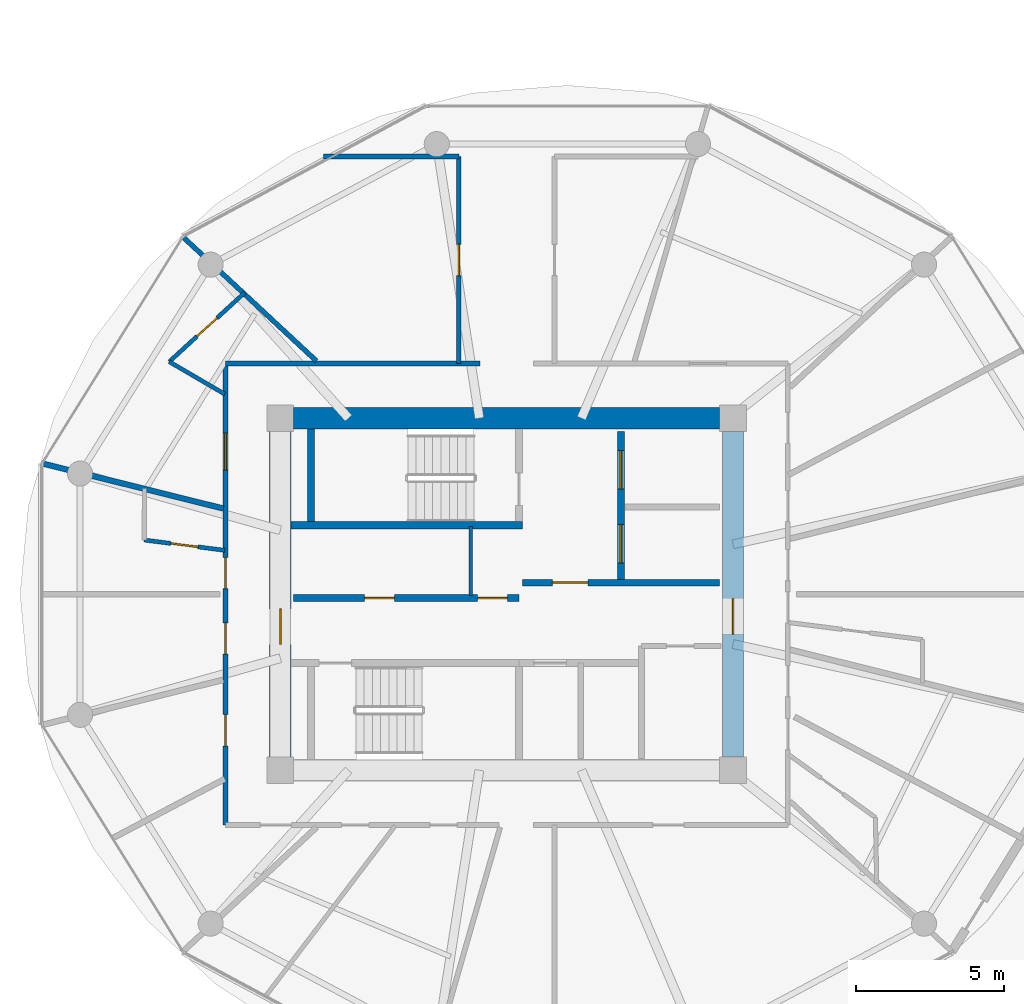
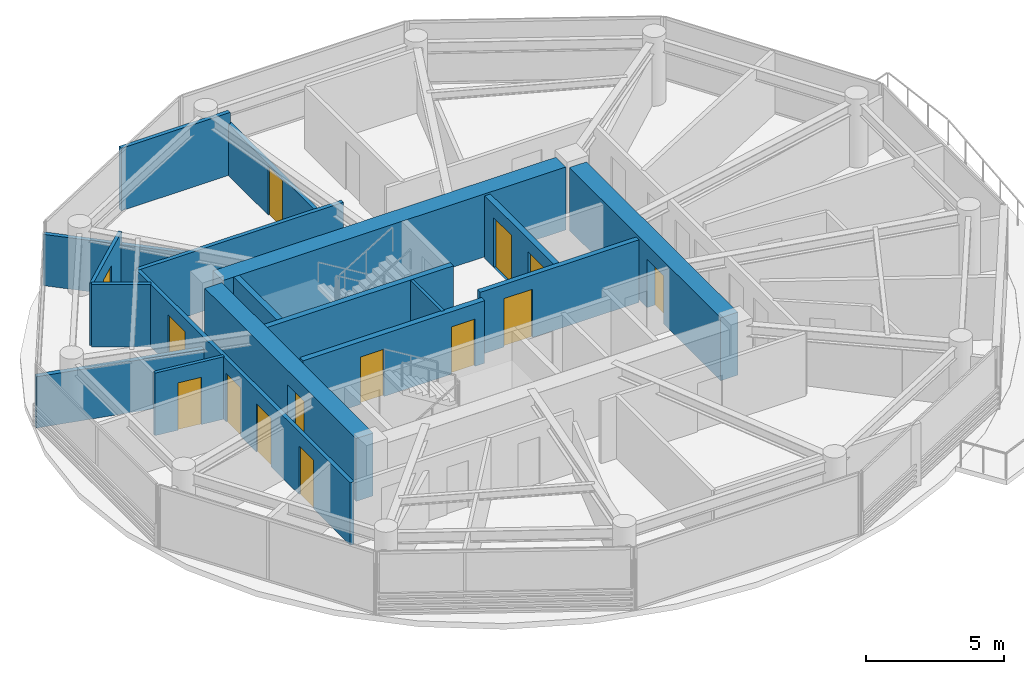
# One storey, part 14 of 22: 18 walls, 14 doors, 14 openings.
"""IFC4 building model written with IfcOpenShell, lengths in metres."""

from ifc_helpers import new_model, si_unit, direction, frame, frame_2d, origin, place, context, subcontext, project, spatial, rectangle, extrude, source, transform, mapped, material, layer, layer_set, type_object, type_shapes, element, fill, save


model = new_model("IFC4")

# Units and contexts
model_context = context("Model", 3, precision=1e-05, world=origin(), true_north=direction((0.0, 1.0)))
body_context = subcontext(model_context, "Body", "Model", "MODEL_VIEW")
ifc_project = project(units=[si_unit("LENGTHUNIT", "METRE"), si_unit("AREAUNIT", "SQUARE_METRE"), si_unit("VOLUMEUNIT", "CUBIC_METRE"), si_unit("PLANEANGLEUNIT", "RADIAN"), si_unit("MASSUNIT", "GRAM", prefix="KILO")], contexts=[model_context])

# Site, building, storey
site_placement = place(None, origin())
site = spatial("IfcSite", under=ifc_project, at=site_placement, CompositionType="ELEMENT")
building_placement = place(site_placement, origin())
building = spatial("IfcBuilding", under=site, at=building_placement, Name="Norrkilde Senior Care Towers", CompositionType="ELEMENT")
storey_placement = place(building_placement, frame((0.0, 0.0, 120.64990234375)))
storey = spatial("IfcBuildingStorey", under=building, at=storey_placement, Name="L37", CompositionType="ELEMENT", Elevation=120.64990234375)

# Wall
ifc_material_1 = material(Name="Concrete C60/75", Category="concrete")
ifc_layer_1 = layer(ifc_material_1, 0.719970703125)
ifc_layer_set_1 = layer_set([ifc_layer_1], Name="Concrete C60/75")
wall_type_1 = type_object("IfcWallType", Name="Core Shear Wall Z2 720", PredefinedType="SHEAR", material=ifc_layer_set_1)
shared_shape_1 = source(origin(), body_context, "Body", "SweptSolid", [
    extrude(rectangle(XDim=14.39990234375, YDim=0.719970703125, at=frame_2d((7.199951171875, 0.0))), origin(), (0.0, 0.0, 1.0), 2.7900390625),
])
wall_1_placement = place(storey_placement, frame((-35.199951171875, 5.949951171875, 0.0), z_axis=(0.0, 0.0, 1.0), x_axis=(1.0, 0.0, 0.0)))
element("IfcWall", 1, at=wall_1_placement, inside=storey, type_object=wall_type_1, Name="L37 Core W North Shear Wall", PredefinedType="SHEAR", context=body_context, shape_type="MappedRepresentation", body=[
    mapped(shared_shape_1, transform((0.0, 0.0, 0.0), x_axis=(1.0, 0.0, 0.0), y_axis=(0.0, 1.0, 0.0), z_axis=(0.0, 0.0, 1.0), scale=1.0)),
])

# Wall, opening, door
shared_shape_2 = source(origin(), body_context, "Body", "SweptSolid", [
    extrude(rectangle(XDim=11.0, YDim=0.719970703125, at=frame_2d((5.5, 0.0))), origin(), (0.0, 0.0, 1.0), 2.7900390625),
])
type_shapes(wall_type_1, [shared_shape_1, shared_shape_2])
wall_2_placement = place(storey_placement, frame((-35.64990234375, -5.5, 0.0), z_axis=(0.0, 0.0, 1.0), x_axis=(0.0, 1.0, 0.0)))
wall_2 = element("IfcWall", 2, at=wall_2_placement, inside=storey, type_object=wall_type_1, Name="L37 Core W West Shear Wall", PredefinedType="SHEAR", context=body_context, shape_type="MappedRepresentation", body=[
    mapped(shared_shape_2, transform((0.0, 0.0, 0.0), x_axis=(1.0, 0.0, 0.0), y_axis=(0.0, 1.0, 0.0), z_axis=(0.0, 0.0, 1.0), scale=1.0)),
])
opening_1_placement = place(wall_2_placement, frame((3.800048828125, 0.0, 0.0)))
opening_1 = element("IfcOpeningElement", 3, at=opening_1_placement, cuts=wall_2, Name="Opening D-04", PredefinedType="OPENING", context=body_context, shape_type="SweptSolid", body=[
    extrude(rectangle(XDim=1.199951171875, YDim=2.14990234375, at=frame_2d((0.60009765625, 1.074951171875))), frame((0.0, 0.369873046875, 0.0), z_axis=(0.0, -1.0, 0.0), x_axis=(1.0, 0.0, 0.0)), (0.0, 0.0, 1.0), 0.739990234375),
])
ifc_material_2 = material(Name="Galvanised Painted Steel", Category="steel")
door_type_1 = type_object("IfcDoorType", Name="Firefighting Lobby Fire Door 1200x2150", OperationType="NOTDEFINED", PredefinedType="DOOR", material=ifc_material_2)
shared_shape_3 = source(origin(), body_context, "Body", "SweptSolid", [
    extrude(rectangle(XDim=1.199951171875, YDim=2.14990234375, at=frame_2d((0.60009765625, 1.074951171875))), frame((0.0, 0.02490234375, 0.0), z_axis=(0.0, -1.0, 0.0), x_axis=(1.0, 0.0, 0.0)), (0.0, 0.0, 1.0), 0.050048828125),
])
type_shapes(door_type_1, [shared_shape_3])
door_1_placement = place(opening_1_placement, frame((1.199951171875, 0.0, 0.0), z_axis=(0.0, 0.0, 1.0), x_axis=(-1.0, 0.0, 0.0)))
door_1 = element("IfcDoor", 4, at=door_1_placement, inside=storey, type_object=door_type_1, Name="L37 Core W West Portal Door", OperationType="SINGLE_SWING_LEFT", OverallHeight=2.14990234375, OverallWidth=1.199951171875, PredefinedType="DOOR", context=body_context, shape_type="MappedRepresentation", body=[
    mapped(shared_shape_3, transform((0.0, 0.0, 0.0), x_axis=(1.0, 0.0, 0.0), y_axis=(0.0, 1.0, 0.0), z_axis=(0.0, 0.0, 1.0), scale=1.0)),
])
fill(opening_1, door_1)

wall_3_placement = place(storey_placement, frame((-20.35009765625, 5.5, 0.0), z_axis=(0.0, 0.0, 1.0), x_axis=(0.0, -1.0, 0.0)))
wall_3 = element("IfcWall", 5, at=wall_3_placement, inside=storey, type_object=wall_type_1, Name="L37 Core W East Shear Wall", PredefinedType="SHEAR", context=body_context, shape_type="MappedRepresentation", body=[
    mapped(shared_shape_2, transform((0.0, 0.0, 0.0), x_axis=(1.0, 0.0, 0.0), y_axis=(0.0, 1.0, 0.0), z_axis=(0.0, 0.0, 1.0), scale=1.0)),
])
opening_2_placement = place(wall_3_placement, frame((5.64990234375, 0.0, 0.0)))
opening_2 = element("IfcOpeningElement", 6, at=opening_2_placement, cuts=wall_3, Name="Opening D-04", PredefinedType="OPENING", context=body_context, shape_type="SweptSolid", body=[
    extrude(rectangle(XDim=1.199951171875, YDim=2.14990234375, at=frame_2d((0.60009765625, 1.074951171875))), frame((0.0, 0.369873046875, 0.0), z_axis=(0.0, -1.0, 0.0), x_axis=(1.0, 0.0, 0.0)), (0.0, 0.0, 1.0), 0.739990234375),
])
door_2_placement = place(opening_2_placement, frame((1.199951171875, 0.0, 0.0), z_axis=(0.0, 0.0, 1.0), x_axis=(-1.0, 0.0, 0.0)))
door_2 = element("IfcDoor", 7, at=door_2_placement, inside=storey, type_object=door_type_1, Name="L37 Core W East Portal Door", OperationType="SINGLE_SWING_RIGHT", OverallHeight=2.14990234375, OverallWidth=1.199951171875, PredefinedType="DOOR", context=body_context, shape_type="MappedRepresentation", body=[
    mapped(shared_shape_3, transform((0.0, 0.0, 0.0), x_axis=(1.0, 0.0, 0.0), y_axis=(0.0, 1.0, 0.0), z_axis=(0.0, 0.0, 1.0), scale=1.0)),
])
fill(opening_2, door_2)

# Wall, openings, doors
ifc_material_3 = material(Name="Concrete C45/55", Category="concrete")
ifc_layer_2 = layer(ifc_material_3, 0.239990234375)
ifc_layer_set_2 = layer_set([ifc_layer_2], Name="Concrete C45/55")
wall_type_2 = type_object("IfcWallType", Name="Lift and Plant Rated Enclosure Partition 240", PredefinedType="PARTITIONING", material=ifc_layer_set_2)
shared_shape_4 = source(origin(), body_context, "Body", "SweptSolid", [
    extrude(rectangle(XDim=5.0, YDim=0.239990234375, at=frame_2d((2.5, 0.0))), origin(), (0.0, 0.0, 1.0), 2.775146484375),
])
wall_4_placement = place(storey_placement, frame((-24.139892578125, 0.5, 0.0), z_axis=(0.0, 0.0, 1.0), x_axis=(0.0, 1.0, 0.0)))
wall_4 = element("IfcWall", 8, at=wall_4_placement, inside=storey, type_object=wall_type_2, Name="WL-INT-L37-W-FFLE", PredefinedType="PARTITIONING", context=body_context, shape_type="MappedRepresentation", body=[
    mapped(shared_shape_4, transform((0.0, 0.0, 0.0), x_axis=(1.0, 0.0, 0.0), y_axis=(0.0, 1.0, 0.0), z_axis=(0.0, 0.0, 1.0), scale=1.0)),
])
opening_3_placement = place(wall_4_placement, frame((3.050048828125, 0.0, 0.0)))
opening_3 = element("IfcOpeningElement", 9, at=opening_3_placement, cuts=wall_4, Name="Opening LD-02", PredefinedType="OPENING", context=body_context, shape_type="SweptSolid", body=[
    extrude(rectangle(XDim=1.300048828125, YDim=2.199951171875, at=frame_2d((0.64990234375, 1.10009765625))), frame((0.0, 0.1298828125, 0.0), z_axis=(0.0, -1.0, 0.0), x_axis=(1.0, 0.0, 0.0)), (0.0, 0.0, 1.0), 0.260009765625),
])
opening_4_placement = place(wall_4_placement, frame((0.550048828125, 0.0, 0.0)))
opening_4 = element("IfcOpeningElement", 10, at=opening_4_placement, cuts=wall_4, Name="Opening LD-02", PredefinedType="OPENING", context=body_context, shape_type="SweptSolid", body=[
    extrude(rectangle(XDim=1.300048828125, YDim=2.199951171875, at=frame_2d((0.64990234375, 1.10009765625))), frame((0.0, 0.1298828125, 0.0), z_axis=(0.0, -1.0, 0.0), x_axis=(1.0, 0.0, 0.0)), (0.0, 0.0, 1.0), 0.260009765625),
])
ifc_material_4 = material(Name="Stainless Steel", Category="steel")
door_type_2 = type_object("IfcDoorType", Name="Stretcher and FFL Landing Sliding Door 1300x2200", OperationType="NOTDEFINED", PredefinedType="DOOR", material=ifc_material_4)
shared_shape_5 = source(origin(), body_context, "Body", "SweptSolid", [
    extrude(rectangle(XDim=1.300048828125, YDim=2.199951171875, at=frame_2d((0.64990234375, 1.10009765625))), frame((0.0, 0.02490234375, 0.0), z_axis=(0.0, -1.0, 0.0), x_axis=(1.0, 0.0, 0.0)), (0.0, 0.0, 1.0), 0.050048828125),
])
type_shapes(door_type_2, [shared_shape_5])
door_3_placement = place(opening_3_placement, origin())
door_3 = element("IfcDoor", 11, at=door_3_placement, inside=storey, type_object=door_type_2, Name="L37 Firefighting Lift W1 Landing Door", OperationType="SLIDING_TO_LEFT", OverallHeight=2.199951171875, OverallWidth=1.300048828125, PredefinedType="DOOR", context=body_context, shape_type="MappedRepresentation", body=[
    mapped(shared_shape_5, transform((0.0, 0.0, 0.0), x_axis=(1.0, 0.0, 0.0), y_axis=(0.0, 1.0, 0.0), z_axis=(0.0, 0.0, 1.0), scale=1.0)),
])
fill(opening_3, door_3)
door_4_placement = place(opening_4_placement, origin())
door_4 = element("IfcDoor", 12, at=door_4_placement, inside=storey, type_object=door_type_2, Name="L37 Stretcher Lift W1 Landing Door", OperationType="SLIDING_TO_RIGHT", OverallHeight=2.199951171875, OverallWidth=1.300048828125, PredefinedType="DOOR", context=body_context, shape_type="MappedRepresentation", body=[
    mapped(shared_shape_5, transform((0.0, 0.0, 0.0), x_axis=(1.0, 0.0, 0.0), y_axis=(0.0, 1.0, 0.0), z_axis=(0.0, 0.0, 1.0), scale=1.0)),
])
fill(opening_4, door_4)

# Wall, opening, door
ifc_layer_3 = layer(ifc_material_3, 0.2099609375)
ifc_layer_set_3 = layer_set([ifc_layer_3], Name="Concrete C45/55")
wall_type_3 = type_object("IfcWallType", Name="Firefighting Lobby Wall 210", PredefinedType="PARTITIONING", material=ifc_layer_set_3)
shared_shape_6 = source(origin(), body_context, "Body", "SweptSolid", [
    extrude(rectangle(XDim=6.659912109375, YDim=0.2099609375, at=frame_2d((3.330078125, 0.0))), origin(), (0.0, 0.0, 1.0), 2.775146484375),
])
type_shapes(wall_type_3, [shared_shape_6])
wall_5_placement = place(storey_placement, frame((-27.4599609375, 0.389892578125, 0.0), z_axis=(0.0, 0.0, 1.0), x_axis=(1.0, 0.0, 0.0)))
wall_5 = element("IfcWall", 13, at=wall_5_placement, inside=storey, type_object=wall_type_3, Name="WL-INT-L37-W-FFLS", PredefinedType="PARTITIONING", context=body_context, shape_type="MappedRepresentation", body=[
    mapped(shared_shape_6, transform((0.0, 0.0, 0.0), x_axis=(1.0, 0.0, 0.0), y_axis=(0.0, 1.0, 0.0), z_axis=(0.0, 0.0, 1.0), scale=1.0)),
])
opening_5_placement = place(wall_5_placement, frame((1.0, 0.0, 0.0)))
opening_5 = element("IfcOpeningElement", 14, at=opening_5_placement, cuts=wall_5, Name="Opening D-04", PredefinedType="OPENING", context=body_context, shape_type="SweptSolid", body=[
    extrude(rectangle(XDim=1.199951171875, YDim=2.14990234375, at=frame_2d((0.60009765625, 1.074951171875))), frame((0.0, 0.114990234375, 0.0), z_axis=(0.0, -1.0, 0.0), x_axis=(1.0, 0.0, 0.0)), (0.0, 0.0, 1.0), 0.22998046875),
])
door_5_placement = place(opening_5_placement, frame((1.199951171875, 0.0, 0.0), z_axis=(0.0, 0.0, 1.0), x_axis=(-1.0, 0.0, 0.0)))
door_5 = element("IfcDoor", 15, at=door_5_placement, inside=storey, type_object=door_type_1, Name="L37 Firefighting Lobby W Door", OperationType="SINGLE_SWING_LEFT", OverallHeight=2.14990234375, OverallWidth=1.199951171875, PredefinedType="DOOR", context=body_context, shape_type="MappedRepresentation", body=[
    mapped(shared_shape_3, transform((0.0, 0.0, 0.0), x_axis=(1.0, 0.0, 0.0), y_axis=(0.0, 1.0, 0.0), z_axis=(0.0, 0.0, 1.0), scale=1.0)),
])
fill(opening_5, door_5)

# Wall, openings, doors
shared_shape_7 = source(origin(), body_context, "Body", "SweptSolid", [
    extrude(rectangle(XDim=7.619873046875, YDim=0.239990234375, at=frame_2d((3.81005859375, 0.0))), origin(), (0.0, 0.0, 1.0), 2.775146484375),
])
type_shapes(wall_type_2, [shared_shape_4, shared_shape_7])
wall_6_placement = place(storey_placement, frame((-35.199951171875, -0.1298828125, 0.0), z_axis=(0.0, 0.0, 1.0), x_axis=(1.0, 0.0, 0.0)))
wall_6 = element("IfcWall", 16, at=wall_6_placement, inside=storey, type_object=wall_type_2, Name="WL-INT-L37-W-PKAS", PredefinedType="PARTITIONING", context=body_context, shape_type="MappedRepresentation", body=[
    mapped(shared_shape_7, transform((0.0, 0.0, 0.0), x_axis=(1.0, 0.0, 0.0), y_axis=(0.0, 1.0, 0.0), z_axis=(0.0, 0.0, 1.0), scale=1.0)),
])
opening_6_placement = place(wall_6_placement, frame((6.219970703125, 0.0, 0.0)))
opening_6 = element("IfcOpeningElement", 17, at=opening_6_placement, cuts=wall_6, Name="Opening D-10", PredefinedType="OPENING", context=body_context, shape_type="SweptSolid", body=[
    extrude(rectangle(XDim=1.0, YDim=2.10009765625, at=frame_2d((0.5, 1.050048828125))), frame((0.0, 0.1298828125, 0.0), z_axis=(0.0, -1.0, 0.0), x_axis=(1.0, 0.0, 0.0)), (0.0, 0.0, 1.0), 0.260009765625),
])
opening_7_placement = place(wall_6_placement, frame((2.39990234375, 0.0, 0.0)))
opening_7 = element("IfcOpeningElement", 18, at=opening_7_placement, cuts=wall_6, Name="Opening D-10", PredefinedType="OPENING", context=body_context, shape_type="SweptSolid", body=[
    extrude(rectangle(XDim=1.0, YDim=2.10009765625, at=frame_2d((0.5, 1.050048828125))), frame((0.0, 0.1298828125, 0.0), z_axis=(0.0, -1.0, 0.0), x_axis=(1.0, 0.0, 0.0)), (0.0, 0.0, 1.0), 0.260009765625),
])
door_type_3 = type_object("IfcDoorType", Name="Plant and Riser Rated Door 1000x2100", OperationType="NOTDEFINED", PredefinedType="DOOR", material=ifc_material_2)
shared_shape_8 = source(origin(), body_context, "Body", "SweptSolid", [
    extrude(rectangle(XDim=1.0, YDim=2.10009765625, at=frame_2d((0.5, 1.050048828125))), frame((0.0, 0.02490234375, 0.0), z_axis=(0.0, -1.0, 0.0), x_axis=(1.0, 0.0, 0.0)), (0.0, 0.0, 1.0), 0.050048828125),
])
type_shapes(door_type_3, [shared_shape_8])
door_6_placement = place(opening_6_placement, frame((1.0, 0.0, 0.0), z_axis=(0.0, 0.0, 1.0), x_axis=(-1.0, 0.0, 0.0)))
door_6 = element("IfcDoor", 19, at=door_6_placement, inside=storey, type_object=door_type_3, Name="L37 Electrical Riser W Door", OperationType="SINGLE_SWING_LEFT", OverallHeight=2.10009765625, OverallWidth=1.0, PredefinedType="DOOR", context=body_context, shape_type="MappedRepresentation", body=[
    mapped(shared_shape_8, transform((0.0, 0.0, 0.0), x_axis=(1.0, 0.0, 0.0), y_axis=(0.0, 1.0, 0.0), z_axis=(0.0, 0.0, 1.0), scale=1.0)),
])
fill(opening_6, door_6)
door_7_placement = place(opening_7_placement, frame((1.0, 0.0, 0.0), z_axis=(0.0, 0.0, 1.0), x_axis=(-1.0, 0.0, 0.0)))
door_7 = element("IfcDoor", 20, at=door_7_placement, inside=storey, type_object=door_type_3, Name="L37 Clean Supply Store W Door", OperationType="SINGLE_SWING_LEFT", OverallHeight=2.10009765625, OverallWidth=1.0, PredefinedType="DOOR", context=body_context, shape_type="MappedRepresentation", body=[
    mapped(shared_shape_8, transform((0.0, 0.0, 0.0), x_axis=(1.0, 0.0, 0.0), y_axis=(0.0, 1.0, 0.0), z_axis=(0.0, 0.0, 1.0), scale=1.0)),
])
fill(opening_7, door_7)

# Wall
ifc_material_5 = material(Name="Gypsum Acoustic Board")
ifc_layer_4 = layer(ifc_material_5, 0.114990234375)
ifc_layer_set_4 = layer_set([ifc_layer_4], Name="Gypsum Acoustic Board")
wall_type_4 = type_object("IfcWallType", Name="Internal Room Partition 115", PredefinedType="PARTITIONING", material=ifc_layer_set_4)
shared_shape_9 = source(origin(), body_context, "Body", "SweptSolid", [
    extrude(rectangle(XDim=2.330078125, YDim=0.114990234375, at=frame_2d((1.1650390625, 0.0))), origin(), (0.0, 0.0, 1.0), 2.775146484375),
])
type_shapes(wall_type_4, [shared_shape_9])
wall_7_placement = place(storey_placement, frame((-29.2099609375, -0.050048828125, 0.0), z_axis=(0.0, 0.0, 1.0), x_axis=(0.0, 1.0, 0.0)))
element("IfcWall", 21, at=wall_7_placement, inside=storey, type_object=wall_type_4, Name="WL-INT-L37-W-RISW", PredefinedType="PARTITIONING", context=body_context, shape_type="MappedRepresentation", body=[
    mapped(shared_shape_9, transform((0.0, 0.0, 0.0), x_axis=(1.0, 0.0, 0.0), y_axis=(0.0, 1.0, 0.0), z_axis=(0.0, 0.0, 1.0), scale=1.0)),
])

# Wall, openings, doors
ifc_layer_5 = layer(ifc_material_5, 0.1650390625)
ifc_layer_set_5 = layer_set([ifc_layer_5], Name="Gypsum Acoustic Board")
wall_type_5 = type_object("IfcWallType", Name="Corridor Rated Partition 165", PredefinedType="PARTITIONING", material=ifc_layer_set_5)
shared_shape_10 = source(origin(), body_context, "Body", "SweptSolid", [
    extrude(rectangle(XDim=15.60009765625, YDim=0.1650390625, at=frame_2d((7.800048828125, 0.0))), origin(), (0.0, 0.0, 1.0), 2.775146484375),
])
wall_8_placement = place(storey_placement, frame((-37.5, -7.800048828125, 0.0), z_axis=(0.0, 0.0, 1.0), x_axis=(0.0, 1.0, 0.0)))
wall_8 = element("IfcWall", 22, at=wall_8_placement, inside=storey, type_object=wall_type_5, Name="WL-INT-L37-W-CRW-W-0", PredefinedType="PARTITIONING", context=body_context, shape_type="MappedRepresentation", body=[
    mapped(shared_shape_10, transform((0.0, 0.0, 0.0), x_axis=(1.0, 0.0, 0.0), y_axis=(0.0, 1.0, 0.0), z_axis=(0.0, 0.0, 1.0), scale=1.0)),
])
opening_8_placement = place(wall_8_placement, frame((11.994140625, 0.0, 0.0)))
opening_8 = element("IfcOpeningElement", 23, at=opening_8_placement, cuts=wall_8, Name="Opening D-05", PredefinedType="OPENING", context=body_context, shape_type="SweptSolid", body=[
    extrude(rectangle(XDim=1.25, YDim=2.199951171875, at=frame_2d((0.625, 1.10009765625))), frame((0.0, 0.092529296875, 0.0), z_axis=(0.0, -1.0, 0.0), x_axis=(1.0, 0.0, 0.0)), (0.0, 0.0, 1.0), 0.18505859375),
])
opening_9_placement = place(wall_8_placement, frame((7.984375, 0.0, 0.0)))
opening_9 = element("IfcOpeningElement", 24, at=opening_9_placement, cuts=wall_8, Name="Opening D-06", PredefinedType="OPENING", context=body_context, shape_type="SweptSolid", body=[
    extrude(rectangle(XDim=1.050048828125, YDim=2.14990234375, at=frame_2d((0.52490234375, 1.074951171875))), frame((0.0, 0.092529296875, 0.0), z_axis=(0.0, -1.0, 0.0), x_axis=(1.0, 0.0, 0.0)), (0.0, 0.0, 1.0), 0.18505859375),
])
opening_10_placement = place(wall_8_placement, frame((5.776611328125, 0.0, 0.0)))
opening_10 = element("IfcOpeningElement", 25, at=opening_10_placement, cuts=wall_8, Name="Opening D-06", PredefinedType="OPENING", context=body_context, shape_type="SweptSolid", body=[
    extrude(rectangle(XDim=1.050048828125, YDim=2.14990234375, at=frame_2d((0.52490234375, 1.074951171875))), frame((0.0, 0.092529296875, 0.0), z_axis=(0.0, -1.0, 0.0), x_axis=(1.0, 0.0, 0.0)), (0.0, 0.0, 1.0), 0.18505859375),
])
opening_11_placement = place(wall_8_placement, frame((2.67626953125, 0.0, 0.0)))
opening_11 = element("IfcOpeningElement", 26, at=opening_11_placement, cuts=wall_8, Name="Opening D-06", PredefinedType="OPENING", context=body_context, shape_type="SweptSolid", body=[
    extrude(rectangle(XDim=1.050048828125, YDim=2.14990234375, at=frame_2d((0.52490234375, 1.074951171875))), frame((0.0, 0.092529296875, 0.0), z_axis=(0.0, -1.0, 0.0), x_axis=(1.0, 0.0, 0.0)), (0.0, 0.0, 1.0), 0.18505859375),
])
ifc_material_6 = material(Name="Nordic Ash Timber", Category="wood")
door_type_4 = type_object("IfcDoorType", Name="Care Bedroom Bariatric Door 1250x2200", OperationType="NOTDEFINED", PredefinedType="DOOR", material=ifc_material_6)
shared_shape_11 = source(origin(), body_context, "Body", "SweptSolid", [
    extrude(rectangle(XDim=1.25, YDim=2.199951171875, at=frame_2d((0.625, 1.10009765625))), frame((0.0, 0.02490234375, 0.0), z_axis=(0.0, -1.0, 0.0), x_axis=(1.0, 0.0, 0.0)), (0.0, 0.0, 1.0), 0.050048828125),
])
type_shapes(door_type_4, [shared_shape_11])
door_8_placement = place(opening_8_placement, frame((1.25, 0.0, 0.0), z_axis=(0.0, 0.0, 1.0), x_axis=(-1.0, 0.0, 0.0)))
door_8 = element("IfcDoor", 27, at=door_8_placement, inside=storey, type_object=door_type_4, Name="L37 Care Suite 3704 Entrance Door", OperationType="SINGLE_SWING_LEFT", OverallHeight=2.199951171875, OverallWidth=1.25, PredefinedType="DOOR", context=body_context, shape_type="MappedRepresentation", body=[
    mapped(shared_shape_11, transform((0.0, 0.0, 0.0), x_axis=(1.0, 0.0, 0.0), y_axis=(0.0, 1.0, 0.0), z_axis=(0.0, 0.0, 1.0), scale=1.0)),
])
fill(opening_8, door_8)
door_type_5 = type_object("IfcDoorType", Name="Apartment Entrance Fire Door 1050x2150", OperationType="NOTDEFINED", PredefinedType="DOOR", material=ifc_material_6)
shared_shape_12 = source(origin(), body_context, "Body", "SweptSolid", [
    extrude(rectangle(XDim=1.050048828125, YDim=2.14990234375, at=frame_2d((0.52490234375, 1.074951171875))), frame((0.0, 0.02490234375, 0.0), z_axis=(0.0, -1.0, 0.0), x_axis=(1.0, 0.0, 0.0)), (0.0, 0.0, 1.0), 0.050048828125),
])
type_shapes(door_type_5, [shared_shape_12])
door_9_placement = place(opening_9_placement, frame((1.050048828125, 0.0, 0.0), z_axis=(0.0, 0.0, 1.0), x_axis=(-1.0, 0.0, 0.0)))
door_9 = element("IfcDoor", 28, at=door_9_placement, inside=storey, type_object=door_type_5, Name="L37 Care Suite 3705A Entrance Door", OperationType="SINGLE_SWING_RIGHT", OverallHeight=2.14990234375, OverallWidth=1.050048828125, PredefinedType="DOOR", context=body_context, shape_type="MappedRepresentation", body=[
    mapped(shared_shape_12, transform((0.0, 0.0, 0.0), x_axis=(1.0, 0.0, 0.0), y_axis=(0.0, 1.0, 0.0), z_axis=(0.0, 0.0, 1.0), scale=1.0)),
])
fill(opening_9, door_9)
door_10_placement = place(opening_10_placement, frame((1.050048828125, 0.0, 0.0), z_axis=(0.0, 0.0, 1.0), x_axis=(-1.0, 0.0, 0.0)))
door_10 = element("IfcDoor", 29, at=door_10_placement, inside=storey, type_object=door_type_5, Name="L37 Therapy Day Lounge 05 Door", OperationType="SINGLE_SWING_LEFT", OverallHeight=2.14990234375, OverallWidth=1.050048828125, PredefinedType="DOOR", context=body_context, shape_type="MappedRepresentation", body=[
    mapped(shared_shape_12, transform((0.0, 0.0, 0.0), x_axis=(1.0, 0.0, 0.0), y_axis=(0.0, 1.0, 0.0), z_axis=(0.0, 0.0, 1.0), scale=1.0)),
])
fill(opening_10, door_10)
door_11_placement = place(opening_11_placement, frame((1.050048828125, 0.0, 0.0), z_axis=(0.0, 0.0, 1.0), x_axis=(-1.0, 0.0, 0.0)))
door_11 = element("IfcDoor", 30, at=door_11_placement, inside=storey, type_object=door_type_5, Name="L37 Physiotherapy Clinic 6A Door", OperationType="SINGLE_SWING_LEFT", OverallHeight=2.14990234375, OverallWidth=1.050048828125, PredefinedType="DOOR", context=body_context, shape_type="MappedRepresentation", body=[
    mapped(shared_shape_12, transform((0.0, 0.0, 0.0), x_axis=(1.0, 0.0, 0.0), y_axis=(0.0, 1.0, 0.0), z_axis=(0.0, 0.0, 1.0), scale=1.0)),
])
fill(opening_11, door_11)

# Walls
ifc_layer_6 = layer(ifc_material_3, 0.239990234375)
ifc_layer_set_6 = layer_set([ifc_layer_6], Name="Concrete C45/55")
wall_type_6 = type_object("IfcWallType", Name="Shaft and Stair Enclosure Wall 240", PredefinedType="PARTITIONING", material=ifc_layer_set_6)
shared_shape_13 = source(origin(), body_context, "Body", "SweptSolid", [
    extrude(rectangle(XDim=7.830078125, YDim=0.239990234375, at=frame_2d((3.9150390625, 0.0))), origin(), (0.0, 0.0, 1.0), 2.7900390625),
])
wall_9_placement = place(storey_placement, frame((-35.2900390625, 2.330078125, 0.0), z_axis=(0.0, 0.0, 1.0), x_axis=(1.0, 0.0, 0.0)))
element("IfcWall", 31, at=wall_9_placement, inside=storey, type_object=wall_type_6, Name="WL-INT-L37-W-ST1S", PredefinedType="PARTITIONING", context=body_context, shape_type="MappedRepresentation", body=[
    mapped(shared_shape_13, transform((0.0, 0.0, 0.0), x_axis=(1.0, 0.0, 0.0), y_axis=(0.0, 1.0, 0.0), z_axis=(0.0, 0.0, 1.0), scale=1.0)),
])
shared_shape_14 = source(origin(), body_context, "Body", "SweptSolid", [
    extrude(rectangle(XDim=3.14013671875, YDim=0.239990234375, at=frame_2d((1.570068359375, 0.0))), origin(), (0.0, 0.0, 1.0), 2.7900390625),
])
type_shapes(wall_type_6, [shared_shape_13, shared_shape_14])
wall_10_placement = place(storey_placement, frame((-34.6201171875, 2.449951171875, 0.0), z_axis=(0.0, 0.0, 1.0), x_axis=(0.0, 1.0, 0.0)))
element("IfcWall", 32, at=wall_10_placement, inside=storey, type_object=wall_type_6, Name="WL-INT-L37-W-ST1W", PredefinedType="PARTITIONING", context=body_context, shape_type="MappedRepresentation", body=[
    mapped(shared_shape_14, transform((0.0, 0.0, 0.0), x_axis=(1.0, 0.0, 0.0), y_axis=(0.0, 1.0, 0.0), z_axis=(0.0, 0.0, 1.0), scale=1.0)),
])
ifc_layer_7 = layer(ifc_material_5, 0.18994140625)
ifc_layer_set_7 = layer_set([ifc_layer_7], Name="Gypsum Acoustic Board")
wall_type_7 = type_object("IfcWallType", Name="Unit Demising Acoustic Wall 190", PredefinedType="PARTITIONING", material=ifc_layer_set_7)
shared_shape_15 = source(origin(), body_context, "Body", "SweptSolid", [
    extrude(rectangle(XDim=6.33056640625, YDim=0.18994140625, at=frame_2d((3.165283203125, 0.0))), origin(), (0.0, 0.0, 1.0), 2.275146484375),
])
type_shapes(wall_type_7, [shared_shape_15])
wall_11_placement = place(storey_placement, frame((-37.580078125, 2.89599609375, 0.0), z_axis=(0.0, 0.0, 1.0), x_axis=(-0.97036440661, 0.241646267062, 0.0)))
element("IfcWall", 33, at=wall_11_placement, inside=storey, type_object=wall_type_7, Name="WL-INT-L37-W-DEM-05-0", PredefinedType="PARTITIONING", context=body_context, shape_type="MappedRepresentation", body=[
    mapped(shared_shape_15, transform((0.0, 0.0, 0.0), x_axis=(1.0, 0.0, 0.0), y_axis=(0.0, 1.0, 0.0), z_axis=(0.0, 0.0, 1.0), scale=1.0)),
])
ifc_layer_8 = layer(ifc_material_5, 0.139892578125)
ifc_layer_set_8 = layer_set([ifc_layer_8], Name="Gypsum Acoustic Board")
wall_type_8 = type_object("IfcWallType", Name="En-suite Wet Room Wall 140", PredefinedType="PARTITIONING", material=ifc_layer_set_8)
shared_shape_16 = source(origin(), body_context, "Body", "SweptSolid", [
    extrude(rectangle(XDim=2.171630859375, YDim=0.139892578125, at=frame_2d((1.0859375, 0.0))), origin(), (0.0, 0.0, 1.0), 2.775146484375),
])
wall_12_placement = place(storey_placement, frame((-37.530029296875, 6.761962890625, 0.0), z_axis=(0.0, 0.0, 1.0), x_axis=(-0.863562702562, 0.504241468688, 0.0)))
element("IfcWall", 34, at=wall_12_placement, inside=storey, type_object=wall_type_8, Name="WL-INT-L37-W-ES-04", PredefinedType="PARTITIONING", context=body_context, shape_type="MappedRepresentation", body=[
    mapped(shared_shape_16, transform((0.0, 0.0, 0.0), x_axis=(1.0, 0.0, 0.0), y_axis=(0.0, 1.0, 0.0), z_axis=(0.0, 0.0, 1.0), scale=1.0)),
])
shared_shape_17 = source(origin(), body_context, "Body", "SweptSolid", [
    extrude(rectangle(XDim=8.60009765625, YDim=0.1650390625, at=frame_2d((4.300048828125, 0.0))), origin(), (0.0, 0.0, 1.0), 2.775146484375),
])
wall_13_placement = place(storey_placement, frame((-37.5, 7.800048828125, 0.0), z_axis=(0.0, 0.0, 1.0), x_axis=(1.0, 0.0, 0.0)))
element("IfcWall", 35, at=wall_13_placement, inside=storey, type_object=wall_type_5, Name="WL-INT-L37-W-CRW-N-0", PredefinedType="PARTITIONING", context=body_context, shape_type="MappedRepresentation", body=[
    mapped(shared_shape_17, transform((0.0, 0.0, 0.0), x_axis=(1.0, 0.0, 0.0), y_axis=(0.0, 1.0, 0.0), z_axis=(0.0, 0.0, 1.0), scale=1.0)),
])
shared_shape_18 = source(origin(), body_context, "Body", "SweptSolid", [
    extrude(rectangle(XDim=6.186767578125, YDim=0.1650390625, at=frame_2d((3.09326171875, 0.0))), origin(), (0.0, 0.0, 1.0), 2.275146484375),
])
wall_14_placement = place(storey_placement, frame((-34.428955078125, 7.8798828125, 0.0), z_axis=(0.0, 0.0, 1.0), x_axis=(-0.732501077882, 0.680765870841, 0.0)))
element("IfcWall", 36, at=wall_14_placement, inside=storey, type_object=wall_type_5, Name="WL-INT-L37-W-DEM-04-0", PredefinedType="PARTITIONING", context=body_context, shape_type="MappedRepresentation", body=[
    mapped(shared_shape_18, transform((0.0, 0.0, 0.0), x_axis=(1.0, 0.0, 0.0), y_axis=(0.0, 1.0, 0.0), z_axis=(0.0, 0.0, 1.0), scale=1.0)),
])

# Wall, opening, door
shared_shape_19 = source(origin(), body_context, "Body", "SweptSolid", [
    extrude(rectangle(XDim=3.456787109375, YDim=0.139892578125, at=frame_2d((1.728515625, 0.0))), origin(), (0.0, 0.0, 1.0), 2.775146484375),
])
wall_15_placement = place(storey_placement, frame((-39.4052734375, 7.85693359375, 0.0), z_axis=(0.0, 0.0, 1.0), x_axis=(0.737567375492, 0.675273549467, 0.0)))
wall_15 = element("IfcWall", 37, at=wall_15_placement, inside=storey, type_object=wall_type_8, Name="WL-INT-L37-W-EF-04", PredefinedType="PARTITIONING", context=body_context, shape_type="MappedRepresentation", body=[
    mapped(shared_shape_19, transform((0.0, 0.0, 0.0), x_axis=(1.0, 0.0, 0.0), y_axis=(0.0, 1.0, 0.0), z_axis=(0.0, 0.0, 1.0), scale=1.0)),
])
opening_12_placement = place(wall_15_placement, frame((1.268310546875, 0.0, 0.0)))
opening_12 = element("IfcOpeningElement", 38, at=opening_12_placement, cuts=wall_15, Name="Opening D-08", PredefinedType="OPENING", context=body_context, shape_type="SweptSolid", body=[
    extrude(rectangle(XDim=0.919921875, YDim=2.10009765625, at=frame_2d((0.4599609375, 1.050048828125))), frame((0.0, 0.079833984375, 0.0), z_axis=(0.0, -1.0, 0.0), x_axis=(1.0, 0.0, 0.0)), (0.0, 0.0, 1.0), 0.159912109375),
])
door_type_6 = type_object("IfcDoorType", Name="Accessible Wet Room Door 920x2100", OperationType="NOTDEFINED", PredefinedType="DOOR", material=ifc_material_6)
shared_shape_20 = source(origin(), body_context, "Body", "SweptSolid", [
    extrude(rectangle(XDim=0.919921875, YDim=2.10009765625, at=frame_2d((0.4599609375, 1.050048828125))), frame((0.0, 0.02490234375, 0.0), z_axis=(0.0, -1.0, 0.0), x_axis=(1.0, 0.0, 0.0)), (0.0, 0.0, 1.0), 0.050048828125),
])
type_shapes(door_type_6, [shared_shape_20])
door_12_placement = place(opening_12_placement, origin())
door_12 = element("IfcDoor", 39, at=door_12_placement, inside=storey, type_object=door_type_6, Name="L37 Care Suite 3704 Bathroom Door", OperationType="SINGLE_SWING_RIGHT", OverallHeight=2.10009765625, OverallWidth=0.919921875, PredefinedType="DOOR", context=body_context, shape_type="MappedRepresentation", body=[
    mapped(shared_shape_20, transform((0.0, 0.0, 0.0), x_axis=(1.0, 0.0, 0.0), y_axis=(0.0, 1.0, 0.0), z_axis=(0.0, 0.0, 1.0), scale=1.0)),
])
fill(opening_12, door_12)

shared_shape_21 = source(origin(), body_context, "Body", "SweptSolid", [
    extrude(rectangle(XDim=2.74365234375, YDim=0.139892578125, at=frame_2d((1.371826171875, 0.0))), origin(), (0.0, 0.0, 1.0), 2.775146484375),
])
type_shapes(wall_type_8, [shared_shape_16, shared_shape_19, shared_shape_21])
wall_16_placement = place(storey_placement, frame((-37.530029296875, 1.482421875, 0.0), z_axis=(0.0, 0.0, 1.0), x_axis=(-0.991916450239, 0.126892693823, 0.0)))
wall_16 = element("IfcWall", 40, at=wall_16_placement, inside=storey, type_object=wall_type_8, Name="WL-INT-L37-W-ES-05A", PredefinedType="PARTITIONING", context=body_context, shape_type="MappedRepresentation", body=[
    mapped(shared_shape_21, transform((0.0, 0.0, 0.0), x_axis=(1.0, 0.0, 0.0), y_axis=(0.0, 1.0, 0.0), z_axis=(0.0, 0.0, 1.0), scale=1.0)),
])
opening_13_placement = place(wall_16_placement, frame((0.911865234375, 0.0, 0.0)))
opening_13 = element("IfcOpeningElement", 41, at=opening_13_placement, cuts=wall_16, Name="Opening D-08", PredefinedType="OPENING", context=body_context, shape_type="SweptSolid", body=[
    extrude(rectangle(XDim=0.919921875, YDim=2.10009765625, at=frame_2d((0.4599609375, 1.050048828125))), frame((0.0, 0.079833984375, 0.0), z_axis=(0.0, -1.0, 0.0), x_axis=(1.0, 0.0, 0.0)), (0.0, 0.0, 1.0), 0.159912109375),
])
door_13_placement = place(opening_13_placement, origin())
door_13 = element("IfcDoor", 42, at=door_13_placement, inside=storey, type_object=door_type_6, Name="L37 Care Suite 3705A Bathroom Door", OperationType="SINGLE_SWING_LEFT", OverallHeight=2.10009765625, OverallWidth=0.919921875, PredefinedType="DOOR", context=body_context, shape_type="MappedRepresentation", body=[
    mapped(shared_shape_20, transform((0.0, 0.0, 0.0), x_axis=(1.0, 0.0, 0.0), y_axis=(0.0, 1.0, 0.0), z_axis=(0.0, 0.0, 1.0), scale=1.0)),
])
fill(opening_13, door_13)

shared_shape_22 = source(origin(), body_context, "Body", "SweptSolid", [
    extrude(rectangle(XDim=6.989990234375, YDim=0.1650390625, at=frame_2d((3.4951171875, 0.0))), origin(), (0.0, 0.0, 1.0), 2.275146484375),
])
wall_17_placement = place(storey_placement, frame((-29.6201171875, 7.800048828125, 0.0), z_axis=(0.0, 0.0, 1.0), x_axis=(0.0, 1.0, 0.0)))
wall_17 = element("IfcWall", 43, at=wall_17_placement, inside=storey, type_object=wall_type_5, Name="WL-INT-L37-W-PKW-NWL", PredefinedType="PARTITIONING", context=body_context, shape_type="MappedRepresentation", body=[
    mapped(shared_shape_22, transform((0.0, 0.0, 0.0), x_axis=(1.0, 0.0, 0.0), y_axis=(0.0, 1.0, 0.0), z_axis=(0.0, 0.0, 1.0), scale=1.0)),
])
opening_14_placement = place(wall_17_placement, frame((2.969970703125, 0.0, 0.0)))
opening_14 = element("IfcOpeningElement", 44, at=opening_14_placement, cuts=wall_17, Name="Opening D-06", PredefinedType="OPENING", context=body_context, shape_type="SweptSolid", body=[
    extrude(rectangle(XDim=1.050048828125, YDim=2.14990234375, at=frame_2d((0.52490234375, 1.074951171875))), frame((0.0, 0.092529296875, 0.0), z_axis=(0.0, -1.0, 0.0), x_axis=(1.0, 0.0, 0.0)), (0.0, 0.0, 1.0), 0.18505859375),
])
door_14_placement = place(opening_14_placement, frame((1.050048828125, 0.0, 0.0), z_axis=(0.0, 0.0, 1.0), x_axis=(-1.0, 0.0, 0.0)))
door_14 = element("IfcDoor", 45, at=door_14_placement, inside=storey, type_object=door_type_5, Name="L37 Reading Lounge NWL Door", OperationType="SINGLE_SWING_RIGHT", OverallHeight=2.14990234375, OverallWidth=1.050048828125, PredefinedType="DOOR", context=body_context, shape_type="MappedRepresentation", body=[
    mapped(shared_shape_12, transform((0.0, 0.0, 0.0), x_axis=(1.0, 0.0, 0.0), y_axis=(0.0, 1.0, 0.0), z_axis=(0.0, 0.0, 1.0), scale=1.0)),
])
fill(opening_14, door_14)

# Wall
shared_shape_23 = source(origin(), body_context, "Body", "SweptSolid", [
    extrude(rectangle(XDim=4.5693359375, YDim=0.1650390625, at=frame_2d((2.28466796875, 0.0))), origin(), (0.0, 0.0, 1.0), 2.775146484375),
])
type_shapes(wall_type_5, [shared_shape_10, shared_shape_17, shared_shape_18, shared_shape_22, shared_shape_23])
wall_18_placement = place(storey_placement, frame((-34.189453125, 14.7900390625, 0.0), z_axis=(0.0, 0.0, 1.0), x_axis=(1.0, 0.0, 0.0)))
element("IfcWall", 46, at=wall_18_placement, inside=storey, type_object=wall_type_5, Name="WL-INT-L37-W-PKH-NWL-0", PredefinedType="PARTITIONING", context=body_context, shape_type="MappedRepresentation", body=[
    mapped(shared_shape_23, transform((0.0, 0.0, 0.0), x_axis=(1.0, 0.0, 0.0), y_axis=(0.0, 1.0, 0.0), z_axis=(0.0, 0.0, 1.0), scale=1.0)),
])

save(model, "model.ifc")
